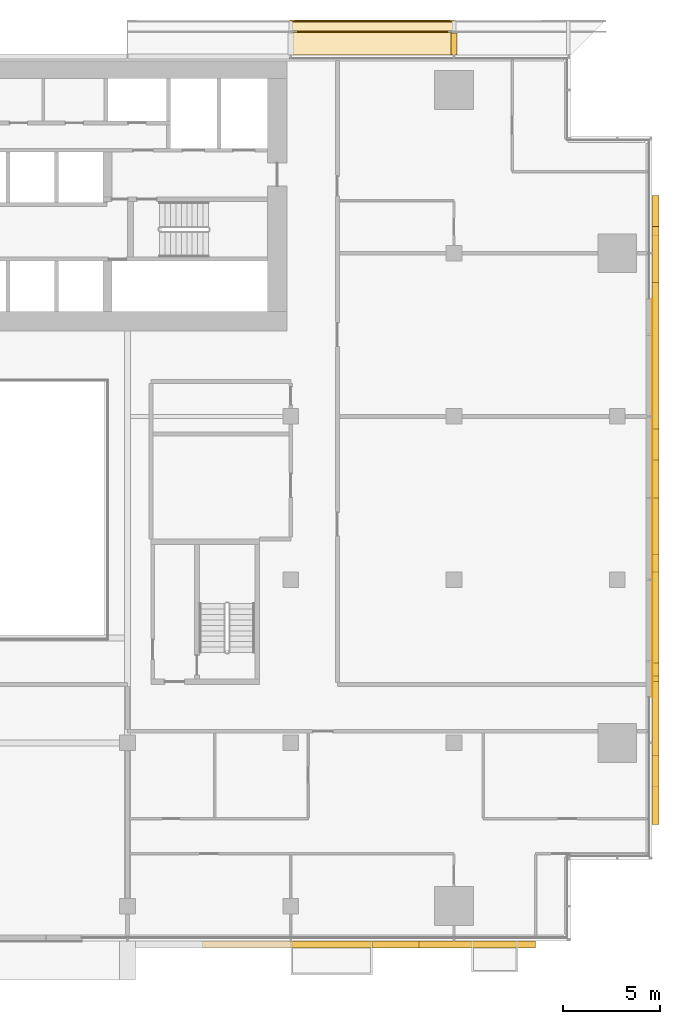
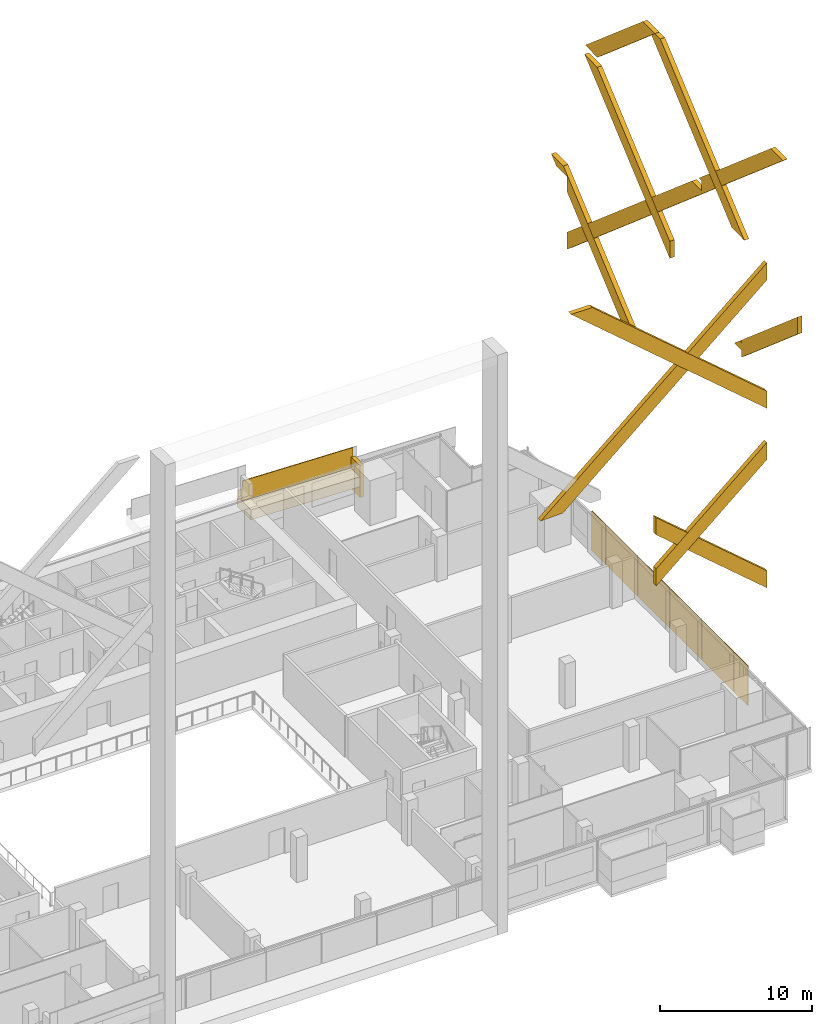
# One storey, part 29 of 30: 19 coverings, 1 railing.
"""IFC4 building model written with IfcOpenShell, lengths in metres."""

from ifc_helpers import new_model, si_unit, direction, frame, origin, origin_2d, place, context, subcontext, project, spatial, polyline, rectangle, outline, extrude, material, layer, layer_set, type_object, element, save


model = new_model("IFC4")

# Units and contexts
model_context = context("Model", 3, precision=1e-05, world=origin(), true_north=direction((0.0, 1.0)))
body_context = subcontext(model_context, "Body", "Model", "MODEL_VIEW")
ifc_project = project(units=[si_unit("LENGTHUNIT", "METRE"), si_unit("AREAUNIT", "SQUARE_METRE"), si_unit("VOLUMEUNIT", "CUBIC_METRE"), si_unit("PLANEANGLEUNIT", "RADIAN"), si_unit("MASSUNIT", "GRAM", prefix="KILO")], contexts=[model_context])

# Site, building, storey
site_placement = place(None, origin())
site = spatial("IfcSite", under=ifc_project, at=site_placement, CompositionType="ELEMENT")
building_placement = place(site_placement, origin())
building = spatial("IfcBuilding", under=site, at=building_placement, Name="Saffron Gate Tower", CompositionType="ELEMENT")
storey_placement = place(building_placement, frame((0.0, 0.0, 95.25)))
storey = spatial("IfcBuildingStorey", under=building, at=storey_placement, Name="L21", CompositionType="ELEMENT", Elevation=95.25)

# Coverings
ifc_material_1 = material(Name="Ceramic-printed bronze insulated panel")
ifc_layer_1 = layer(ifc_material_1, 0.0400390625)
ifc_layer_set_1 = layer_set([ifc_layer_1], Name="CLDA ceramic-printed bay cladding 40")
covering_type_1 = type_object("IfcCoveringType", Name="CLDA ceramic-printed bay cladding 40", PredefinedType="CLADDING", material=ifc_layer_set_1)
covering_1_placement = place(storey_placement, origin())
element("IfcCovering", 1, at=covering_1_placement, inside=storey, type_object=covering_type_1, Name="CLADDING bay panel in front of the arch", PredefinedType="CLADDING", context=body_context, shape_type="SweptSolid", body=[
    extrude(outline(polyline([(127.239990234375, 42.55078125), (127.239990234375, 44.3701171875), (127.199951171875, 44.3701171875), (127.199951171875, 42.55078125), (127.239990234375, 42.55078125)])), origin(), (0.0, 0.0, 1.0), 3.199951171875),
])
covering_2_placement = place(storey_placement, origin())
element("IfcCovering", 2, at=covering_2_placement, inside=storey, type_object=covering_type_1, Name="CLADDING bay panel in front of the arch", PredefinedType="CLADDING", context=body_context, shape_type="SweptSolid", body=[
    extrude(outline(polyline([(127.239990234375, 44.429931640625), (127.239990234375, 48.570068359375), (127.199951171875, 48.570068359375), (127.199951171875, 44.429931640625), (127.239990234375, 44.429931640625)])), origin(), (0.0, 0.0, 1.0), 3.199951171875),
])
covering_3_placement = place(storey_placement, origin())
element("IfcCovering", 3, at=covering_3_placement, inside=storey, type_object=covering_type_1, Name="CLADDING bay panel in front of the arch", PredefinedType="CLADDING", context=body_context, shape_type="SweptSolid", body=[
    extrude(outline(polyline([(127.239990234375, 48.6298828125), (127.239990234375, 52.77001953125), (127.199951171875, 52.77001953125), (127.199951171875, 48.6298828125), (127.239990234375, 48.6298828125)])), origin(), (0.0, 0.0, 1.0), 3.199951171875),
])
covering_4_placement = place(storey_placement, origin())
element("IfcCovering", 4, at=covering_4_placement, inside=storey, type_object=covering_type_1, Name="CLADDING bay panel in front of the arch", PredefinedType="CLADDING", context=body_context, shape_type="SweptSolid", body=[
    extrude(outline(polyline([(127.239990234375, 52.830078125), (127.239990234375, 56.969970703125), (127.199951171875, 56.969970703125), (127.199951171875, 52.830078125), (127.239990234375, 52.830078125)])), origin(), (0.0, 0.0, 1.0), 3.199951171875),
])
covering_5_placement = place(storey_placement, origin())
element("IfcCovering", 5, at=covering_5_placement, inside=storey, type_object=covering_type_1, Name="CLADDING bay panel in front of the arch", PredefinedType="CLADDING", context=body_context, shape_type="SweptSolid", body=[
    extrude(outline(polyline([(127.239990234375, 57.030029296875), (127.239990234375, 61.169921875), (127.199951171875, 61.169921875), (127.199951171875, 57.030029296875), (127.239990234375, 57.030029296875)])), origin(), (0.0, 0.0, 1.0), 3.199951171875),
])
covering_6_placement = place(storey_placement, origin())
element("IfcCovering", 6, at=covering_6_placement, inside=storey, type_object=covering_type_1, Name="CLADDING bay panel in front of the arch", PredefinedType="CLADDING", context=body_context, shape_type="SweptSolid", body=[
    extrude(outline(polyline([(127.239990234375, 61.22998046875), (127.239990234375, 63.04931640625), (127.199951171875, 63.04931640625), (127.199951171875, 61.22998046875), (127.239990234375, 61.22998046875)])), origin(), (0.0, 0.0, 1.0), 3.199951171875),
])
ifc_material_2 = material(Name="Timber, thermally modified ash", Category="wood")
ifc_layer_2 = layer(ifc_material_2, 0.800048828125)
ifc_layer_set_2 = layer_set([ifc_layer_2], Name="LD1 ledge timber")
covering_type_2 = type_object("IfcCoveringType", Name="LD1 ledge timber", PredefinedType="CLADDING", material=ifc_layer_set_2)
covering_7_placement = place(storey_placement, frame((117.0, 75.60009765625, 1.93017578125), z_axis=(0.028791175352, 0.0, 0.999585448184), x_axis=(-0.999585448184, 0.0, 0.028791175352)))
element("IfcCovering", 7, at=covering_7_placement, inside=storey, type_object=covering_type_2, Name="LEDGE", PredefinedType="CLADDING", context=body_context, shape_type="SweptSolid", body=[
    extrude(outline(polyline([(0.0, 0.0), (8.403385982666892, 0.0), (8.403385982666892, -1.7998046875), (0.0, -1.7998046875), (0.0, 0.0)])), origin(), (0.0, 0.0, -1.0), 0.800048828125),
])
ifc_layer_3 = layer(ifc_material_2, 0.080078125)
ifc_layer_set_3 = layer_set([ifc_layer_3], Name="LD2 ledge planter trough")
covering_type_3 = type_object("IfcCoveringType", Name="LD2 ledge planter trough", PredefinedType="CLADDING", material=ifc_layer_set_3)
covering_8_placement = place(storey_placement, frame((117.0, 77.39990234375, 1.93017578125), z_axis=(0.0, 1.0, 0.0), x_axis=(-0.999585448184, 0.0, 0.028791175352)))
element("IfcCovering", 8, at=covering_8_placement, inside=storey, type_object=covering_type_3, Name="LEDGE planter trough", PredefinedType="CLADDING", context=body_context, shape_type="SweptSolid", body=[
    extrude(outline(polyline([(0.0, 0.0), (8.403385982666892, 0.0), (8.417781570342743, 0.49979272409216496), (0.014395587675851172, 0.4997927240921649), (0.0, 0.0)])), origin(), (0.0, 0.0, -1.0), 0.080078125),
])
ifc_layer_4 = layer(ifc_material_2, 0.300048828125)
ifc_layer_set_4 = layer_set([ifc_layer_4], Name="LD3 ledge riser fin")
covering_type_4 = type_object("IfcCoveringType", Name="LD3 ledge riser fin", PredefinedType="CLADDING", material=ifc_layer_set_4)
covering_9_placement = place(storey_placement, frame((117.0, 76.159912109375, 0.27294921875), z_axis=(0.0, 0.0, 1.0), x_axis=(-1.0, 0.0, 0.0)))
element("IfcCovering", 9, at=covering_9_placement, inside=storey, type_object=covering_type_4, Name="LEDGE riser fin", PredefinedType="CLADDING", context=body_context, shape_type="SweptSolid", body=[
    extrude(rectangle(XDim=0.300048828125, YDim=1.1201171875, at=origin_2d()), origin(), (0.0, 0.0, 1.0), 2.557373046875),
])

# Railing
railing_type = type_object("IfcRailingType", Name="LG1 ledge balustrade", PredefinedType="BALUSTRADE", material=ifc_material_2)
railing_placement = place(storey_placement, frame((117.0, 76.800048828125, 1.93017578125)))
element("IfcRailing", 10, at=railing_placement, inside=storey, type_object=railing_type, Name="LEDGE BALUSTRADE", PredefinedType="BALUSTRADE", context=body_context, shape_type="SweptSolid", body=[
    extrude(rectangle(XDim=0.06005859375, YDim=1.60009765625, at=origin_2d()), frame((0.0, 0.0, 0.800048828125), z_axis=(-0.999585448184, 0.0, 0.028791175352), x_axis=(0.0, -1.0, 0.0)), (0.0, 0.0, 1.0), 8.4033203125),
])

# Coverings
ifc_layer_5 = layer(ifc_material_1, 0.35009765625)
ifc_layer_set_5 = layer_set([ifc_layer_5], Name="LZ1 lozenge lattice bar 1600")
covering_type_5 = type_object("IfcCoveringType", Name="LZ1 lozenge lattice bar 1600", PredefinedType="CLADDING", material=ifc_layer_set_5)
covering_10_placement = place(storey_placement, frame((104.0625, 29.64990234375, 30.7392578125), z_axis=(0.0, -1.0, 0.0), x_axis=(0.999582655558, 0.0, 0.028887968223)))
element("IfcCovering", 11, at=covering_10_placement, inside=storey, type_object=covering_type_5, Name="CLADDING lozenge lattice bar", PredefinedType="CLADDING", context=body_context, shape_type="SweptSolid", body=[
    extrude(outline(polyline([(0.0, 0.0), (1.6564530302159628, 0.0), (17.515025188830666, 12.817246809388081), (17.554640354238227, 14.18801237976602), (0.0, 0.0)])), origin(), (0.0, 0.0, -1.0), 0.35009765625),
])
covering_11_placement = place(storey_placement, frame((112.800048828125, 29.64990234375, 23.82861328125), z_axis=(0.0, -1.0, 0.0), x_axis=(0.0, 0.0, -1.0)))
element("IfcCovering", 12, at=covering_11_placement, inside=storey, type_object=covering_type_5, Name="CLADDING lozenge lattice bar", PredefinedType="CLADDING", context=body_context, shape_type="SweptSolid", body=[
    extrude(outline(polyline([(0.0, 0.0), (1.37158203125, 0.0), (-5.82861328125, 8.39990234375), (-7.199951171875, 8.39990234375), (0.0, 0.0)])), origin(), (0.0, 0.0, -1.0), 0.35009765625),
])
covering_12_placement = place(storey_placement, frame((121.199951171875, 29.64990234375, 20.742919921875), z_axis=(0.0, -1.0, 0.0), x_axis=(-0.759255044656, 0.0, 0.650793190779)))
element("IfcCovering", 13, at=covering_12_placement, inside=storey, type_object=covering_type_5, Name="CLADDING lozenge lattice bar", PredefinedType="CLADDING", context=body_context, shape_type="SweptSolid", body=[
    extrude(outline(polyline([(0.0, 0.0), (11.06334742570805, 0.0), (10.170890064231838, 1.0411952113848493), (-0.8926162465325556, 1.0413805763859858), (0.0, 0.0)])), origin(), (0.0, 0.0, -1.0), 0.35009765625),
])
covering_13_placement = place(storey_placement, frame((121.199951171875, 29.64990234375, 35.142822265625), z_axis=(0.0, -1.0, 0.0), x_axis=(-0.759255614848, 0.0, 0.650792525558)))
element("IfcCovering", 14, at=covering_13_placement, inside=storey, type_object=covering_type_5, Name="CLADDING lozenge lattice bar", PredefinedType="CLADDING", context=body_context, shape_type="SweptSolid", body=[
    extrude(outline(polyline([(0.0, 0.0), (17.451303277697722, 0.0), (18.666001042369647, 1.0411727099567596), (-0.8924564492334989, 1.0411959933102701), (0.0, 0.0)])), origin(), (0.0, 0.0, -1.0), 0.35009765625),
])
covering_14_placement = place(storey_placement, frame((127.550048828125, 43.0126953125, 37.03955078125), z_axis=(1.0, 0.0, 0.0), x_axis=(0.0, 0.999586900679, 0.028740702688)))
element("IfcCovering", 15, at=covering_14_placement, inside=storey, type_object=covering_type_5, Name="CLADDING lozenge lattice bar", PredefinedType="CLADDING", context=body_context, shape_type="SweptSolid", body=[
    extrude(outline(polyline([(0.0, 0.0), (1.6564459954660578, -6.938893903907228e-18), (12.903886567899956, 9.093338903504753), (11.304693950676016, 9.139319817742246), (0.0, 0.0)])), origin(), (0.0, 0.0, -1.0), 0.35009765625),
])
covering_15_placement = place(storey_placement, frame((127.550048828125, 52.800048828125, 31.028564453125), z_axis=(1.0, 0.0, 0.0), x_axis=(0.0, 0.0, -1.0)))
element("IfcCovering", 16, at=covering_15_placement, inside=storey, type_object=covering_type_5, Name="CLADDING lozenge lattice bar", PredefinedType="CLADDING", context=body_context, shape_type="SweptSolid", body=[
    extrude(outline(polyline([(0.0, 0.0), (1.371337890625, 0.0), (-8.2158203125, 11.18505859375), (-8.16796875, 9.529296875), (0.0, 0.0)])), origin(), (0.0, 0.0, -1.0), 0.35009765625),
])
covering_16_placement = place(storey_placement, frame((127.550048828125, 57.68994140625, 20.820068359375), z_axis=(1.0, 0.0, 0.0), x_axis=(0.0, 1.0, 0.0)))
element("IfcCovering", 17, at=covering_16_placement, inside=storey, type_object=covering_type_5, Name="CLADDING lozenge lattice bar", PredefinedType="CLADDING", context=body_context, shape_type="SweptSolid", body=[
    extrude(outline(polyline([(0.0, 0.0), (0.360107421875, 0.0), (1.60009765625, 0.0), (8.610107421875, 6.008544921875), (8.610107421875, 7.199951171875), (10.0, 7.199951171875), (10.6767578125, 7.780029296875), (9.07666015625, 7.780029296875), (0.0, 0.0)])), origin(), (0.0, 0.0, -1.0), 0.35009765625),
])
covering_17_placement = place(storey_placement, frame((127.550048828125, 43.35009765625, 27.471435546875), z_axis=(1.0, 0.0, 0.0), x_axis=(0.0, 0.0, 1.0)))
element("IfcCovering", 18, at=covering_17_placement, inside=storey, type_object=covering_type_5, Name="CLADDING lozenge lattice bar", PredefinedType="CLADDING", context=body_context, shape_type="SweptSolid", body=[
    extrude(outline(polyline([(0.0, 0.0), (0.548583984375, 0.0), (0.548583984375, -0.9599609375), (1.128662109375, -0.283203125), (1.128662109375, 0.0), (1.371337890625, 0.0), (7.67138671875, 7.35009765625), (6.300048828125, 7.35009765625), (0.0, 0.0)])), origin(), (0.0, 0.0, -1.0), 0.35009765625),
])
covering_18_placement = place(storey_placement, frame((127.550048828125, 66.300048828125, 22.199951171875), z_axis=(1.0, 0.0, 0.0), x_axis=(0.0, 0.0, 1.0)))
element("IfcCovering", 19, at=covering_18_placement, inside=storey, type_object=covering_type_5, Name="CLADDING lozenge lattice bar", PredefinedType="CLADDING", context=body_context, shape_type="SweptSolid", body=[
    extrude(outline(polyline([(0.0, 0.0), (1.37158203125, 0.0), (15.43798828125, 16.410888671875), (15.40087890625, 17.699951171875), (16.200927734375, 17.699951171875), (16.2119140625, 17.31396484375), (24.300048828125, 26.75), (24.300048828125, 28.35009765625), (0.0, 0.0)])), origin(), (0.0, 0.0, -1.0), 0.35009765625),
])
covering_19_placement = place(storey_placement, frame((127.550048828125, 62.3369140625, 39.996826171875), z_axis=(1.0, 0.0, 0.0), x_axis=(0.0, 0.999583815893, 0.028847790303)))
element("IfcCovering", 20, at=covering_19_placement, inside=storey, type_object=covering_type_5, Name="CLADDING lozenge lattice bar", PredefinedType="CLADDING", context=body_context, shape_type="SweptSolid", body=[
    extrude(outline(polyline([(0.0, 0.0), (1.548740264209261, 0.0), (-5.796722593513867, 6.673173734798159), (-7.396154314549247, 6.719333016449235), (0.0, 0.0)])), origin(), (0.0, 0.0, -1.0), 0.35009765625),
])

save(model, "model.ifc")
